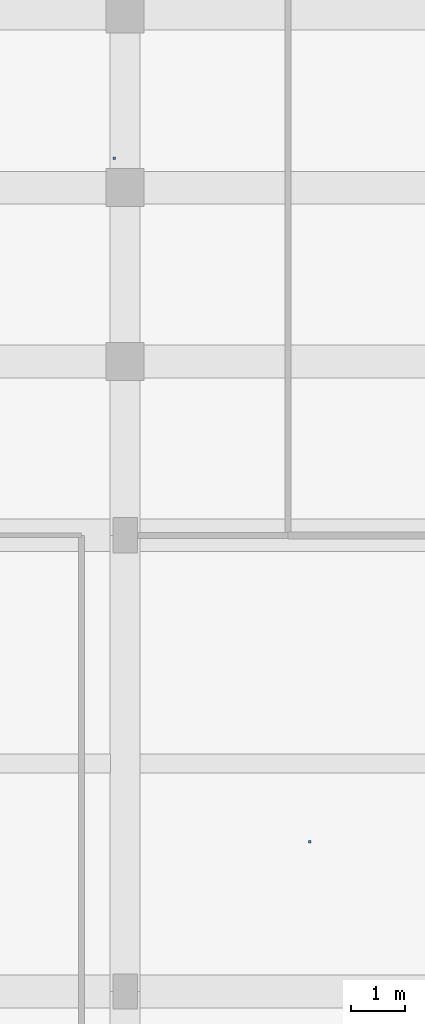
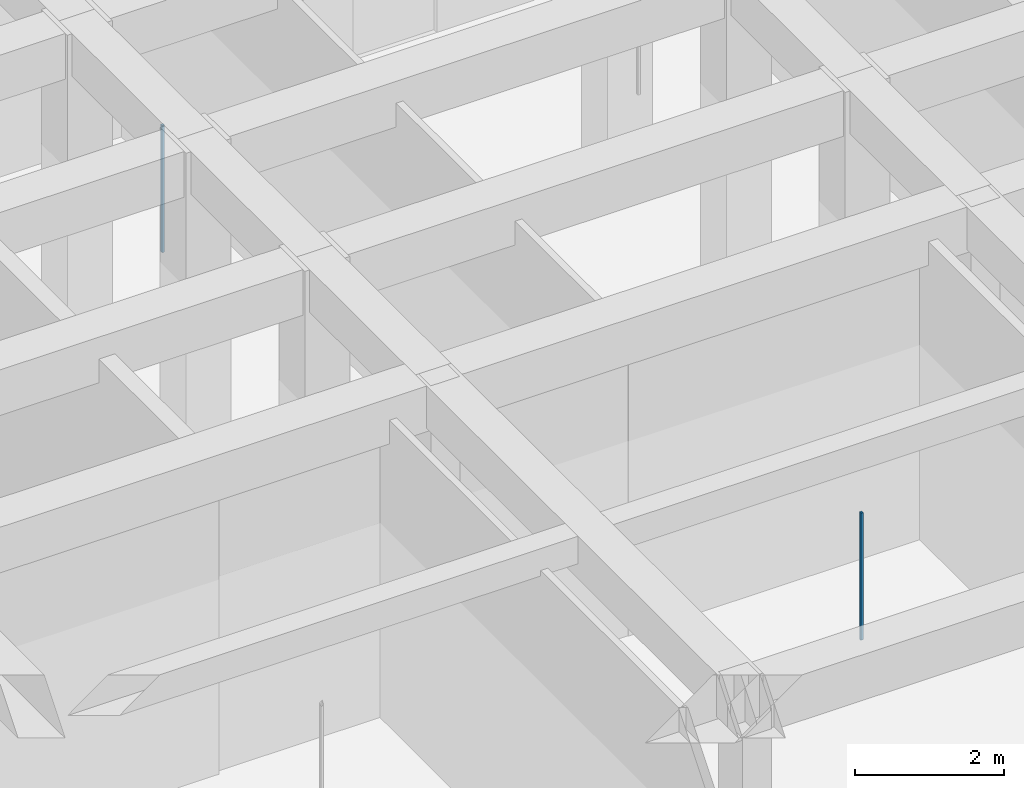
# One storey, part 101 of 167: 2 discrete accessories.
"""IFC4 building model written with IfcOpenShell, lengths in metres."""

from ifc_helpers import new_model, si_unit, direction, frame, origin, origin_2d, place, context, subcontext, project, spatial, rectangle, extrude, material, type_object, element, save


model = new_model("IFC4")

# Units and contexts
model_context = context("Model", 3, precision=1e-05, world=origin(), true_north=direction((0.0, 1.0)))
body_context = subcontext(model_context, "Body", "Model", "MODEL_VIEW")
ifc_project = project(units=[si_unit("LENGTHUNIT", "METRE"), si_unit("AREAUNIT", "SQUARE_METRE"), si_unit("VOLUMEUNIT", "CUBIC_METRE"), si_unit("PLANEANGLEUNIT", "RADIAN"), si_unit("MASSUNIT", "GRAM", prefix="KILO")], contexts=[model_context])

# Site, building, storey
site_placement = place(None, origin())
site = spatial("IfcSite", under=ifc_project, at=site_placement, CompositionType="ELEMENT")
building_placement = place(site_placement, origin())
building = spatial("IfcBuilding", under=site, at=building_placement, Name="Varncliffe General Hospital", CompositionType="ELEMENT")
storey_placement = place(building_placement, origin())
storey = spatial("IfcBuildingStorey", under=building, at=storey_placement, Name="L00", CompositionType="ELEMENT", Elevation=0.0)

# Discrete accessories
ifc_material = material(Name="Powder-coated hospital steel guardrail and handrail", Category="steel")
discrete_accessory_type = type_object("IfcDiscreteAccessoryType", Name="Suspended Ceiling Hanger Bracket CH01", PredefinedType="BRACKET", material=ifc_material)
for number, where, z_axis, x_axis, name in (
    (1, (28.60009765625, 93.95751953125, 3.18994140625), (0.0, 0.0, 1.0), (1.0, 0.0, 0.0), "L00 Suspended Ceiling Hanger 40"),
    (2, (25.0, 106.54248046875, 3.18994140625), (0.0, 0.0, 1.0), (1.0, 0.0, 0.0), "L00 Suspended Ceiling Hanger 86"),
):
    element("IfcDiscreteAccessory", number, at=place(storey_placement, frame(where, z_axis=z_axis, x_axis=x_axis)), inside=storey, type_object=discrete_accessory_type, Name=name, PredefinedType="BRACKET", context=body_context, shape_type="SweptSolid", body=[
        extrude(rectangle(XDim=0.0400390625, YDim=0.0400390625, at=origin_2d()), origin(), (0.0, 0.0, 1.0), 2.090087890625),
    ])

save(model, "model.ifc")
